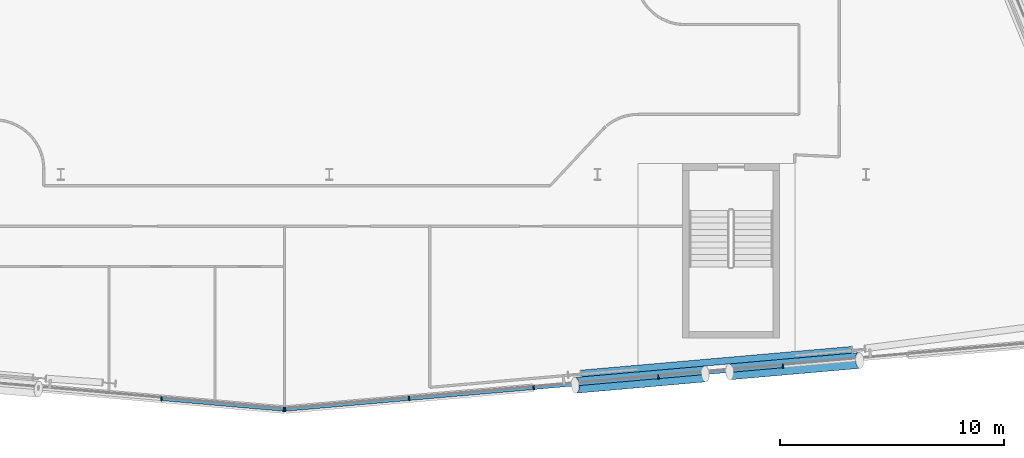
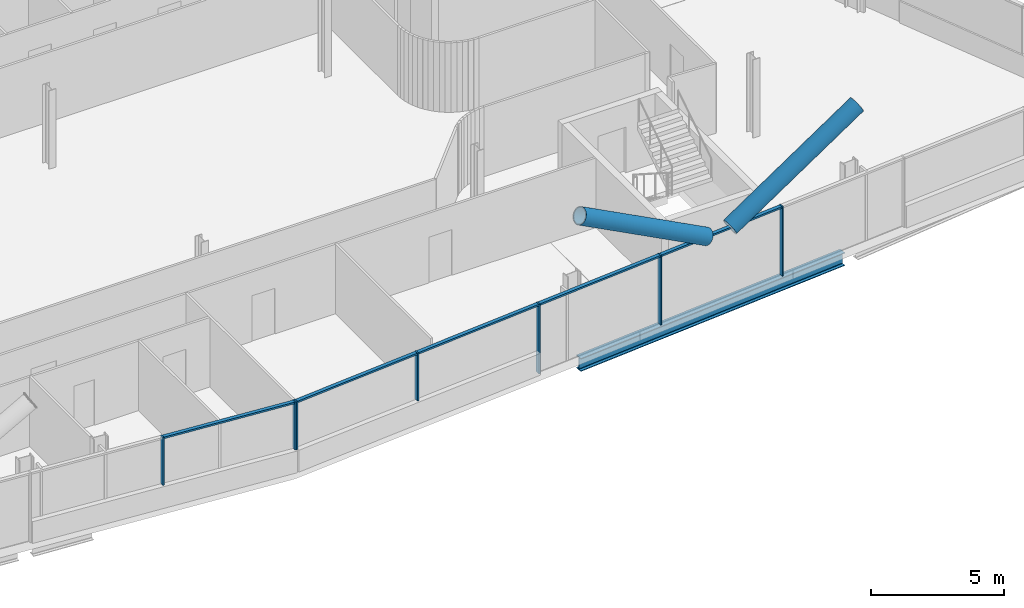
# One storey, part 8 of 27: 14 members, 1 beam, 2 elements without a shape of their own.
"""IFC4 building model written with IfcOpenShell, lengths in metres."""

from ifc_helpers import new_model, si_unit, direction, frame, origin, origin_2d, place, context, subcontext, project, spatial, rectangle, hollow_circle, i_section, extrude, material, material_profile, profile_set, type_object, element, aggregate, save


model = new_model("IFC4")

# Units and contexts
model_context = context("Model", 3, precision=1e-05, world=origin(), true_north=direction((0.0, 1.0)))
body_context = subcontext(model_context, "Body", "Model", "MODEL_VIEW")
ifc_project = project(units=[si_unit("LENGTHUNIT", "METRE"), si_unit("AREAUNIT", "SQUARE_METRE"), si_unit("VOLUMEUNIT", "CUBIC_METRE"), si_unit("PLANEANGLEUNIT", "RADIAN"), si_unit("MASSUNIT", "GRAM", prefix="KILO")], contexts=[model_context])

# Site, building, storey
site_placement = place(None, origin())
site = spatial("IfcSite", under=ifc_project, at=site_placement, CompositionType="ELEMENT")
building_placement = place(site_placement, origin())
building = spatial("IfcBuilding", under=site, at=building_placement, Name="Wharfspan Tower", CompositionType="ELEMENT")
storey_placement = place(building_placement, frame((0.0, 0.0, 159.100098)))
storey = spatial("IfcBuildingStorey", under=building, at=storey_placement, Name="L38", CompositionType="ELEMENT", Elevation=159.100098)

# Beam
ifc_material_1 = material(Name="Steel S355J2", Category="steel")
ifc_material_profile_1 = material_profile(ifc_material_1, i_section(OverallWidth=0.300049, OverallDepth=0.600098, WebThickness=0.015381, FlangeThickness=0.030029, FilletRadius=0.0271, at=origin_2d()))
ifc_profile_set_1 = profile_set([ifc_material_profile_1], Name="Steel S355J2")
beam_type = type_object("IfcBeamType", Name="Edge beam HEB 600", PredefinedType="SPANDREL", material=ifc_profile_set_1)
beam_placement = place(storey_placement, frame((59.265625, 2.600342, -0.700195), z_axis=(0.996195, 0.087155, 0.0), x_axis=(-0.087155, 0.996195, 0.0)))
element("IfcBeam", 1, at=beam_placement, inside=storey, type_object=beam_type, Name="Edge beam S2 L38 PS2.1 to PS2.2", PredefinedType="SPANDREL", context=body_context, shape_type="SweptSolid", body=[
    extrude(i_section(OverallWidth=0.300049, OverallDepth=0.600098, WebThickness=0.015381, FlangeThickness=0.030029, FilletRadius=0.0271, at=origin_2d()), origin(), (0.0, 0.0, 1.0), 12.137695),
])

# Curtain wall, members
ifc_material_2 = material(Name="Aluminium 6063-T6", Category="aluminium")
curtain_wall_type = type_object("IfcCurtainWallType", Name="CURTAIN WALL FACETED FRONT", PredefinedType="NOTDEFINED", material=ifc_material_2)
curtain_wall_1_placement = place(storey_placement, origin())
curtain_wall_1 = element("IfcCurtainWall", 2, at=curtain_wall_1_placement, inside=storey, type_object=curtain_wall_type, Name="Curtain wall S1", PredefinedType="NOTDEFINED")
ifc_material_profile_2 = material_profile(ifc_material_2, rectangle(XDim=0.199951, YDim=0.060059, at=origin_2d()))
ifc_profile_set_2 = profile_set([ifc_material_profile_2], Name="Aluminium 6063-T6")
member_type_1 = type_object("IfcMemberType", Name="MULLION FACETED FRONT 60x200", PredefinedType="MULLION", material=ifc_profile_set_2)
member_1_placement = place(storey_placement, frame((40.5, 1.469238, 1.0), z_axis=(0.0, 0.0, 1.0), x_axis=(0.087156, 0.996198, 0.0)))
member_1 = element("IfcMember", 3, at=member_1_placement, type_object=member_type_1, Name="Curtain wall S1 mullion 6", PredefinedType="MULLION", context=body_context, shape_type="SweptSolid", body=[
    extrude(rectangle(XDim=0.199951, YDim=0.060059, at=origin_2d()), origin(), (0.0, 0.0, 1.0), 2.199951),
])
member_2_placement = place(storey_placement, frame((45.970215, 0.990479, 1.0), z_axis=(0.0, 0.0, 1.0), x_axis=(0.087156, 0.996198, 0.0)))
member_2 = element("IfcMember", 4, at=member_2_placement, type_object=member_type_1, Name="Curtain wall S1 mullion 7", PredefinedType="MULLION", context=body_context, shape_type="SweptSolid", body=[
    extrude(rectangle(XDim=0.199951, YDim=0.060059, at=origin_2d()), origin(), (0.0, 0.0, 1.0), 2.199951),
])

curtain_wall_2_placement = place(storey_placement, origin())
curtain_wall_2 = element("IfcCurtainWall", 5, at=curtain_wall_2_placement, inside=storey, type_object=curtain_wall_type, Name="Curtain wall S2", PredefinedType="NOTDEFINED")
member_3_placement = place(storey_placement, frame((46.029785, 0.990479, 1.0), z_axis=(0.0, 0.0, 1.0), x_axis=(-0.087156, 0.996198, 0.0)))
member_3 = element("IfcMember", 6, at=member_3_placement, type_object=member_type_1, Name="Curtain wall S2 mullion 1", PredefinedType="MULLION", context=body_context, shape_type="SweptSolid", body=[
    extrude(rectangle(XDim=0.199951, YDim=0.060059, at=origin_2d()), origin(), (0.0, 0.0, 1.0), 2.199951),
])
member_4_placement = place(storey_placement, frame((51.571533, 1.475342, 1.0), z_axis=(0.0, 0.0, 1.0), x_axis=(-0.087156, 0.996198, 0.0)))
member_4 = element("IfcMember", 7, at=member_4_placement, type_object=member_type_1, Name="Curtain wall S2 mullion 2", PredefinedType="MULLION", context=body_context, shape_type="SweptSolid", body=[
    extrude(rectangle(XDim=0.199951, YDim=0.060059, at=origin_2d()), origin(), (0.0, 0.0, 1.0), 2.199951),
])
member_5_placement = place(storey_placement, frame((57.142822, 1.962891, 0.0), z_axis=(0.0, 0.0, 1.0), x_axis=(-0.087156, 0.996198, 0.0)))
member_5 = element("IfcMember", 8, at=member_5_placement, type_object=member_type_1, Name="Curtain wall S2 mullion 3", PredefinedType="MULLION", context=body_context, shape_type="SweptSolid", body=[
    extrude(rectangle(XDim=0.199951, YDim=0.060059, at=origin_2d()), origin(), (0.0, 0.0, 1.0), 3.199951),
])
member_6_placement = place(storey_placement, frame((62.714355, 2.450195, 0.0), z_axis=(0.0, 0.0, 1.0), x_axis=(-0.087156, 0.996198, 0.0)))
member_6 = element("IfcMember", 9, at=member_6_placement, type_object=member_type_1, Name="Curtain wall S2 mullion 4", PredefinedType="MULLION", context=body_context, shape_type="SweptSolid", body=[
    extrude(rectangle(XDim=0.199951, YDim=0.060059, at=origin_2d()), origin(), (0.0, 0.0, 1.0), 3.199951),
])
member_7_placement = place(storey_placement, frame((68.285645, 2.937744, 0.0), z_axis=(0.0, 0.0, 1.0), x_axis=(-0.087156, 0.996198, 0.0)))
member_7 = element("IfcMember", 10, at=member_7_placement, type_object=member_type_1, Name="Curtain wall S2 mullion 5", PredefinedType="MULLION", context=body_context, shape_type="SweptSolid", body=[
    extrude(rectangle(XDim=0.199951, YDim=0.060059, at=origin_2d()), origin(), (0.0, 0.0, 1.0), 3.199951),
])

# Members
ifc_material_3 = material(Name="Steel S460NH", Category="steel")
ifc_material_profile_3 = material_profile(ifc_material_3, hollow_circle(Radius=0.355469, WallThickness=0.035889, at=origin_2d()))
ifc_profile_set_3 = profile_set([ifc_material_profile_3], Name="Steel S460NH")
member_type_2 = type_object("IfcMemberType", Name="Mega brace CHS 711x36", PredefinedType="BRACE", material=ifc_profile_set_3)
member_8_placement = place(storey_placement, frame((65.897949, 2.673584, 3.20752), z_axis=(0.867436, 0.075878, 0.491729), x_axis=(-0.08714, 0.996196, -2e-06)))
element("IfcMember", 11, at=member_8_placement, inside=storey, type_object=member_type_2, Name="Mega brace S2 L38 part 2", PredefinedType="BRACE", context=body_context, shape_type="SweptSolid", body=[
    extrude(hollow_circle(Radius=0.355469, WallThickness=0.035889, at=origin_2d()), origin(), (0.0, 0.0, 1.0), 6.695801),
])
member_9_placement = place(storey_placement, frame((64.812744, 2.578613, 3.20752), z_axis=(-0.867427, -0.07588, 0.491745), x_axis=(0.087145, -0.996197, 1e-06)))
element("IfcMember", 12, at=member_9_placement, inside=storey, type_object=member_type_2, Name="Mega brace S2 L38 part 4", PredefinedType="BRACE", context=body_context, shape_type="SweptSolid", body=[
    extrude(hollow_circle(Radius=0.355469, WallThickness=0.035889, at=origin_2d()), origin(), (0.0, 0.0, 1.0), 6.695557),
])

# Member
ifc_material_profile_4 = material_profile(ifc_material_2, rectangle(XDim=0.159912, YDim=0.080078, at=origin_2d()))
ifc_profile_set_4 = profile_set([ifc_material_profile_4], Name="Aluminium 6063-T6")
member_type_3 = type_object("IfcMemberType", Name="TRANSOM FACETED FRONT 80x160", PredefinedType="USERDEFINED", material=ifc_profile_set_4)
member_10_placement = place(storey_placement, frame((40.529785, 1.466553, 3.159912), z_axis=(0.996194, -0.087163, 0.0), x_axis=(0.087163, 0.996194, 0.0)))
member_10 = element("IfcMember", 13, at=member_10_placement, type_object=member_type_3, Name="Curtain wall S1 transom 6", ObjectType="TRANSOM", PredefinedType="USERDEFINED", context=body_context, shape_type="SweptSolid", body=[
    extrude(rectangle(XDim=0.159912, YDim=0.080078, at=origin_2d()), origin(), (0.0, 0.0, 1.0), 5.431152),
])

aggregate(curtain_wall_1, [member_1, member_2, member_10])

member_11_placement = place(storey_placement, frame((46.059814, 0.993164, 3.159912), z_axis=(0.996196, 0.087139, 0.0), x_axis=(-0.087139, 0.996196, 0.0)))
member_11 = element("IfcMember", 14, at=member_11_placement, type_object=member_type_3, Name="Curtain wall S2 transom 1", ObjectType="TRANSOM", PredefinedType="USERDEFINED", context=body_context, shape_type="SweptSolid", body=[
    extrude(rectangle(XDim=0.159912, YDim=0.080078, at=origin_2d()), origin(), (0.0, 0.0, 1.0), 5.502686),
])

member_12_placement = place(storey_placement, frame((51.601318, 1.478027, 3.159912), z_axis=(0.996195, 0.087149, 0.0), x_axis=(-0.087149, 0.996195, 0.0)))
member_12 = element("IfcMember", 15, at=member_12_placement, type_object=member_type_3, Name="Curtain wall S2 transom 2", ObjectType="TRANSOM", PredefinedType="USERDEFINED", context=body_context, shape_type="SweptSolid", body=[
    extrude(rectangle(XDim=0.159912, YDim=0.080078, at=origin_2d()), origin(), (0.0, 0.0, 1.0), 5.532715),
])

member_13_placement = place(storey_placement, frame((57.172852, 1.965332, 3.159912), z_axis=(0.996191, 0.087197, 0.0), x_axis=(-0.087197, 0.996191, 0.0)))
member_13 = element("IfcMember", 16, at=member_13_placement, type_object=member_type_3, Name="Curtain wall S2 transom 3", ObjectType="TRANSOM", PredefinedType="USERDEFINED", context=body_context, shape_type="SweptSolid", body=[
    extrude(rectangle(XDim=0.159912, YDim=0.080078, at=origin_2d()), origin(), (0.0, 0.0, 1.0), 5.532471),
])

member_14_placement = place(storey_placement, frame((62.744141, 2.452881, 3.159912), z_axis=(0.996195, 0.087149, 0.0), x_axis=(-0.087149, 0.996195, 0.0)))
member_14 = element("IfcMember", 17, at=member_14_placement, type_object=member_type_3, Name="Curtain wall S2 transom 4", ObjectType="TRANSOM", PredefinedType="USERDEFINED", context=body_context, shape_type="SweptSolid", body=[
    extrude(rectangle(XDim=0.159912, YDim=0.080078, at=origin_2d()), origin(), (0.0, 0.0, 1.0), 5.532715),
])

aggregate(curtain_wall_2, [member_3, member_4, member_5, member_6, member_7, member_11, member_12, member_13, member_14])

save(model, "model.ifc")
